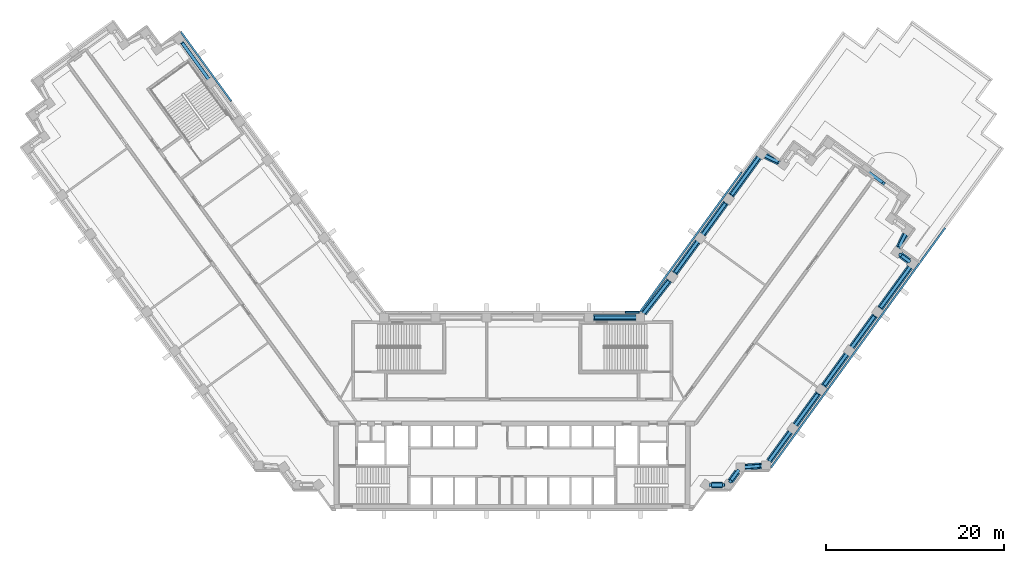
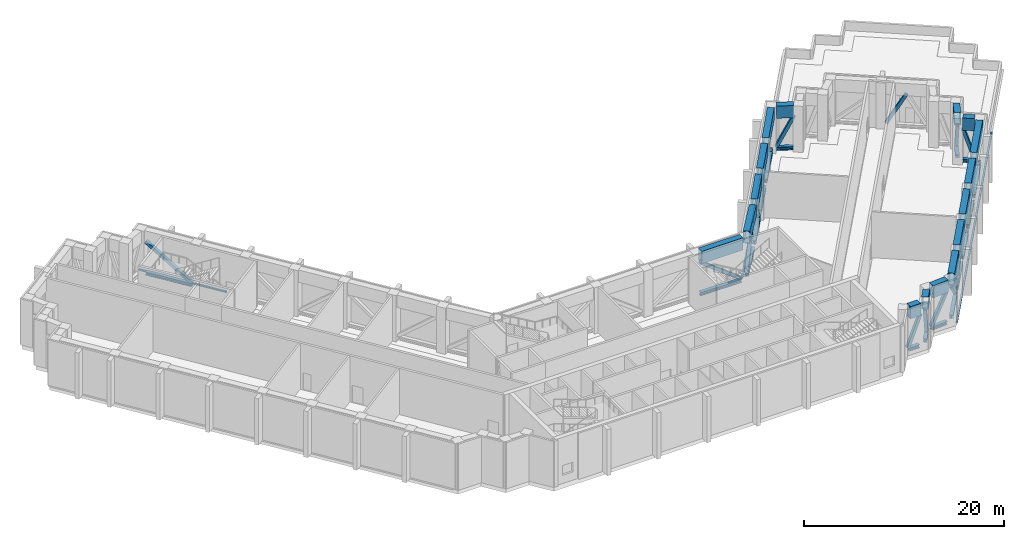
"""IFC4 building model written with IfcOpenShell, lengths in metres."""

from ifc_helpers import new_model, si_unit, direction, frame, origin, origin_2d, place, context, subcontext, project, spatial, rectangle, hollow_rectangle, i_section, extrude, material, material_profile, profile_set, type_object, element, aggregate, save


model = new_model("IFC4")

# Units and contexts
model_context = context("Model", 3, precision=1e-05, world=origin(), true_north=direction((0.0, 1.0)))
body_context = subcontext(model_context, "Body", "Model", "MODEL_VIEW")
ifc_project = project(units=[si_unit("LENGTHUNIT", "METRE"), si_unit("AREAUNIT", "SQUARE_METRE"), si_unit("VOLUMEUNIT", "CUBIC_METRE"), si_unit("PLANEANGLEUNIT", "RADIAN"), si_unit("MASSUNIT", "GRAM", prefix="KILO")], contexts=[model_context])

# Site, building, storey
site_placement = place(None, origin())
site = spatial("IfcSite", under=ifc_project, at=site_placement, CompositionType="ELEMENT")
building_placement = place(site_placement, origin())
building = spatial("IfcBuilding", under=site, at=building_placement, Name="Quipu Civic Tower", CompositionType="ELEMENT")
storey_1_placement = place(building_placement, frame((0.0, 0.0, 79.0)))
storey_1 = spatial("IfcBuildingStorey", under=building, at=storey_1_placement, Name="L18", CompositionType="ELEMENT", Elevation=79.0)

# Beams
ifc_material_1 = material(Name="Steel ASTM A992 Grade 50 (fy 345 MPa)", Category="steel")
ifc_material_profile_1 = material_profile(ifc_material_1, i_section(OverallWidth=0.403564453125, OverallDepth=0.407470703125, WebThickness=0.027099609375, FlangeThickness=0.043701171875, at=origin_2d()), Name="W360x347")
ifc_profile_set_1 = profile_set([ifc_material_profile_1], Name="Steel ASTM A992 Grade 50 (fy 345 MPa)")
beam_type_1 = type_object("IfcBeamType", Name="Belt truss bottom chord W360x347", PredefinedType="BEAM", material=ifc_profile_set_1)
beam_1_placement = place(storey_1_placement, frame((-34.13671875, 37.32373046875, 0.3037109375), z_axis=(-0.587747065363, 0.809044737426, 0.0), x_axis=(-0.809044737426, -0.587747065363, 0.0)))
element("IfcBeam", 1, at=beam_1_placement, inside=storey_1, type_object=beam_type_1, Name="Truss bottom chord L18 W-IN-06 to T-Wi.0-W50", PredefinedType="BEAM", context=body_context, shape_type="SweptSolid", body=[
    extrude(i_section(OverallWidth=0.403564453125, OverallDepth=0.407470703125, WebThickness=0.027099609375, FlangeThickness=0.043701171875, at=origin_2d()), origin(), (0.0, 0.0, 1.0), 5.0947265625),
])
beam_2_placement = place(storey_1_placement, frame((22.409912109375, -8.31494140625, 0.3037109375), z_axis=(1.0, 0.0, 0.0), x_axis=(0.0, 1.0, 0.0)))
element("IfcBeam", 2, at=beam_2_placement, inside=storey_1, type_object=beam_type_1, Name="Truss bottom chord L18 J-Eo.1 to J-Eo.2", PredefinedType="BEAM", context=body_context, shape_type="SweptSolid", body=[
    extrude(i_section(OverallWidth=0.403564453125, OverallDepth=0.407470703125, WebThickness=0.027099609375, FlangeThickness=0.043701171875, at=origin_2d()), origin(), (0.0, 0.0, 1.0), 1.20703125),
])
beam_3_placement = place(storey_1_placement, frame((24.529296875, -7.91064453125, 0.3037109375), z_axis=(0.588346597772, 0.808608855313, 0.0), x_axis=(-0.808608855313, 0.588346597772, 0.0)))
element("IfcBeam", 3, at=beam_3_placement, inside=storey_1, type_object=beam_type_1, Name="Truss bottom chord L18 J-Eo.2 to J-Eo.3", PredefinedType="BEAM", context=body_context, shape_type="SweptSolid", body=[
    extrude(i_section(OverallWidth=0.403564453125, OverallDepth=0.407470703125, WebThickness=0.027099609375, FlangeThickness=0.043701171875, at=origin_2d()), origin(), (0.0, 0.0, 1.0), 1.327880859375),
])
beam_4_placement = place(storey_1_placement, frame((26.17431640625, -6.30078125, 0.3037109375), z_axis=(0.997368412419, 0.072499999372, 0.0), x_axis=(-0.072499999372, 0.997368412419, 0.0)))
element("IfcBeam", 4, at=beam_4_placement, inside=storey_1, type_object=beam_type_1, Name="Truss bottom chord L18 J-Eo.3 to J-Eo.4", PredefinedType="BEAM", context=body_context, shape_type="SweptSolid", body=[
    extrude(i_section(OverallWidth=0.403564453125, OverallDepth=0.407470703125, WebThickness=0.027099609375, FlangeThickness=0.043701171875, at=origin_2d()), origin(), (0.0, 0.0, 1.0), 1.85546875),
])
beam_5_placement = place(storey_1_placement, frame((28.88818359375, -5.6298828125, 0.3037109375), z_axis=(0.587811022966, 0.808998270258, 0.0), x_axis=(-0.808998270258, 0.587811022966, 0.0)))
element("IfcBeam", 5, at=beam_5_placement, inside=storey_1, type_object=beam_type_1, Name="Truss bottom chord L18 J-Eo.4 to E-OUT-01", PredefinedType="BEAM", context=body_context, shape_type="SweptSolid", body=[
    extrude(i_section(OverallWidth=0.403564453125, OverallDepth=0.407470703125, WebThickness=0.027099609375, FlangeThickness=0.043701171875, at=origin_2d()), origin(), (0.0, 0.0, 1.0), 4.025390625),
])
for number, where, z_axis, x_axis, name in (
    (6, (31.84228515625, -1.564208984375, 0.3037109375), (0.587759228046, 0.809035901457, 0.0), (-0.809035901457, 0.587759228046, 0.0), "Truss bottom chord L18 E-OUT-01 to E-OUT-02"),
    (7, (35.01611328125, 2.804443359375, 0.3037109375), (0.587759228046, 0.809035901457, 0.0), (-0.809035901457, 0.587759228046, 0.0), "Truss bottom chord L18 E-OUT-02 to E-OUT-03"),
    (8, (38.190185546875, 7.173095703125, 0.3037109375), (0.58779554378, 0.809009517072, 0.0), (-0.809009517072, 0.58779554378, 0.0), "Truss bottom chord L18 E-OUT-03 to E-OUT-04"),
):
    element("IfcBeam", number, at=place(storey_1_placement, frame(where, z_axis=z_axis, x_axis=x_axis)), inside=storey_1, type_object=beam_type_1, Name=name, PredefinedType="BEAM", context=body_context, shape_type="SweptSolid", body=[
        extrude(i_section(OverallWidth=0.403564453125, OverallDepth=0.407470703125, WebThickness=0.027099609375, FlangeThickness=0.043701171875, at=origin_2d()), origin(), (0.0, 0.0, 1.0), 4.400146484375),
    ])
beam_6_placement = place(storey_1_placement, frame((41.3642578125, 11.5419921875, 0.3037109375), z_axis=(0.587771965958, 0.809026647295, 0.0), x_axis=(-0.809026647295, 0.587771965958, 0.0)))
element("IfcBeam", 9, at=beam_6_placement, inside=storey_1, type_object=beam_type_1, Name="Truss bottom chord L18 E-OUT-04 to T-Eo.0-E34", PredefinedType="BEAM", context=body_context, shape_type="SweptSolid", body=[
    extrude(i_section(OverallWidth=0.403564453125, OverallDepth=0.407470703125, WebThickness=0.027099609375, FlangeThickness=0.043701171875, at=origin_2d()), origin(), (0.0, 0.0, 1.0), 5.70263671875),
])
beam_7_placement = place(storey_1_placement, frame((44.605712890625, 16.854248046875, 0.3037109375), z_axis=(-0.808630508091, 0.588316837584, 0.0), x_axis=(-0.588316837584, -0.808630508091, 0.0)))
element("IfcBeam", 10, at=beam_7_placement, inside=storey_1, type_object=beam_type_1, Name="Truss bottom chord L18 T-Eo.0-E34 to T-Eo.1-E34", PredefinedType="BEAM", context=body_context, shape_type="SweptSolid", body=[
    extrude(i_section(OverallWidth=0.403564453125, OverallDepth=0.407470703125, WebThickness=0.027099609375, FlangeThickness=0.043701171875, at=origin_2d()), origin(), (0.0, 0.0, 1.0), 1.2001953125),
])
beam_8_placement = place(storey_1_placement, frame((43.449951171875, 18.3134765625, 0.3037109375), z_axis=(0.430841799311, 0.902427472968, 0.0), x_axis=(-0.902427472968, 0.430841799311, 0.0)))
element("IfcBeam", 11, at=beam_8_placement, inside=storey_1, type_object=beam_type_1, Name="Truss bottom chord L18 T-Eo.1-E34 to T-Eo.2-E34", PredefinedType="BEAM", context=body_context, shape_type="SweptSolid", body=[
    extrude(i_section(OverallWidth=0.403564453125, OverallDepth=0.407470703125, WebThickness=0.027099609375, FlangeThickness=0.043701171875, at=origin_2d()), origin(), (0.0, 0.0, 1.0), 1.731689453125),
])
beam_9_placement = place(storey_1_placement, frame((30.039794921875, 27.941650390625, 0.3037109375), z_axis=(-0.902601993281, 0.430476064056, 0.0), x_axis=(-0.430476064056, -0.902601993281, 0.0)))
element("IfcBeam", 12, at=beam_9_placement, inside=storey_1, type_object=beam_type_1, Name="Truss bottom chord L18 T-Ei.3-E34 to T-Ei.4-E34", PredefinedType="BEAM", context=body_context, shape_type="SweptSolid", body=[
    extrude(i_section(OverallWidth=0.403564453125, OverallDepth=0.407470703125, WebThickness=0.027099609375, FlangeThickness=0.043701171875, at=origin_2d()), origin(), (0.0, 0.0, 1.0), 1.729248046875),
])
beam_10_placement = place(storey_1_placement, frame((27.72607421875, 28.50048828125, 0.3037109375), z_axis=(-0.587628625566, -0.809130767191, 0.0), x_axis=(0.809130767191, -0.587628625566, 0.0)))
element("IfcBeam", 13, at=beam_10_placement, inside=storey_1, type_object=beam_type_1, Name="Truss bottom chord L18 T-Ei.4-E34 to E-IN-03", PredefinedType="BEAM", context=body_context, shape_type="SweptSolid", body=[
    extrude(i_section(OverallWidth=0.403564453125, OverallDepth=0.407470703125, WebThickness=0.027099609375, FlangeThickness=0.043701171875, at=origin_2d()), origin(), (0.0, 0.0, 1.0), 5.2939453125),
])
beam_11_placement = place(storey_1_placement, frame((24.02734375, 23.408203125, 0.3037109375), z_axis=(-0.587759228046, -0.809035901457, 0.0), x_axis=(0.809035901457, -0.587759228046, 0.0)))
element("IfcBeam", 14, at=beam_11_placement, inside=storey_1, type_object=beam_type_1, Name="Truss bottom chord L18 E-IN-03 to E-IN-02", PredefinedType="BEAM", context=body_context, shape_type="SweptSolid", body=[
    extrude(i_section(OverallWidth=0.403564453125, OverallDepth=0.407470703125, WebThickness=0.027099609375, FlangeThickness=0.043701171875, at=origin_2d()), origin(), (0.0, 0.0, 1.0), 4.400146484375),
])
beam_12_placement = place(storey_1_placement, frame((20.853515625, 19.039306640625, 0.3037109375), z_axis=(-0.587722908759, -0.809062285934, 0.0), x_axis=(0.809062285934, -0.587722908759, 0.0)))
element("IfcBeam", 15, at=beam_12_placement, inside=storey_1, type_object=beam_type_1, Name="Truss bottom chord L18 E-IN-02 to E-IN-01", PredefinedType="BEAM", context=body_context, shape_type="SweptSolid", body=[
    extrude(i_section(OverallWidth=0.403564453125, OverallDepth=0.407470703125, WebThickness=0.027099609375, FlangeThickness=0.043701171875, at=origin_2d()), origin(), (0.0, 0.0, 1.0), 4.39990234375),
])
beam_13_placement = place(storey_1_placement, frame((17.665283203125, 14.680908203125, 0.3037109375), z_axis=(-0.616068753057, -0.787692383806, 0.0), x_axis=(0.787692383806, -0.616068753057, 0.0)))
element("IfcBeam", 16, at=beam_13_placement, inside=storey_1, type_object=beam_type_1, Name="Truss bottom chord L18 E-IN-01 to J-Ei.0", PredefinedType="BEAM", context=body_context, shape_type="SweptSolid", body=[
    extrude(i_section(OverallWidth=0.403564453125, OverallDepth=0.407470703125, WebThickness=0.027099609375, FlangeThickness=0.043701171875, at=origin_2d()), origin(), (0.0, 0.0, 1.0), 4.673095703125),
])
beam_14_placement = place(storey_1_placement, frame((13.895263671875, 10.5, 0.3037109375), z_axis=(-1.0, 0.0, 0.0), x_axis=(0.0, -1.0, 0.0)))
element("IfcBeam", 17, at=beam_14_placement, inside=storey_1, type_object=beam_type_1, Name="Truss bottom chord L18 J-Ei.0 to FRONT-01", PredefinedType="BEAM", context=body_context, shape_type="SweptSolid", body=[
    extrude(i_section(OverallWidth=0.403564453125, OverallDepth=0.407470703125, WebThickness=0.027099609375, FlangeThickness=0.043701171875, at=origin_2d()), origin(), (0.0, 0.0, 1.0), 4.758056640625),
])

# Members
ifc_material_2 = material(Name="Steel ASTM A500 Grade C (fy 345 MPa)", Category="steel")
ifc_material_profile_2 = material_profile(ifc_material_2, hollow_rectangle(XDim=0.355712890625, YDim=0.355712890625, WallThickness=0.015869140625, at=origin_2d()), Name="HSS356x356x16")
ifc_profile_set_2 = profile_set([ifc_material_profile_2], Name="Steel ASTM A500 Grade C (fy 345 MPa)")
member_type_1 = type_object("IfcMemberType", Name="Belt truss diagonal HSS356x356x16", PredefinedType="BRACE", material=ifc_profile_set_2)
member_1_placement = place(storey_1_placement, frame((-34.13671875, 37.32373046875, 0.50732421875), z_axis=(-0.478113209401, 0.658131701127, 0.581610198473), x_axis=(-0.809044737426, -0.587747065363, 0.0)))
element("IfcMember", 18, at=member_1_placement, inside=storey_1, type_object=member_type_1, Name="Truss diagonal L18 W-IN-06 to T-Wi.0-W50", PredefinedType="BRACE", context=body_context, shape_type="SweptSolid", body=[
    extrude(hollow_rectangle(XDim=0.355712890625, YDim=0.355712890625, WallThickness=0.015869140625, at=origin_2d()), origin(), (0.0, 0.0, 1.0), 6.262939453125),
])
member_2_placement = place(storey_1_placement, frame((22.291748046875, -8.31494140625, 0.50732421875), z_axis=(0.368380626342, 0.0, 0.92967505836), x_axis=(0.0, 1.0, 0.0)))
element("IfcMember", 19, at=member_2_placement, inside=storey_1, type_object=member_type_1, Name="Truss diagonal L18 J-Eo.1 to J-Eo.2", PredefinedType="BRACE", context=body_context, shape_type="SweptSolid", body=[
    extrude(hollow_rectangle(XDim=0.355712890625, YDim=0.355712890625, WallThickness=0.015869140625, at=origin_2d()), origin(), (0.0, 0.0, 1.0), 3.918212890625),
])
member_3_placement = place(storey_1_placement, frame((24.529296875, -7.91064453125, 4.14990234375), z_axis=(0.217094677225, 0.298388379887, -0.929426853426), x_axis=(-0.808626568298, 0.588322252718, 0.0)))
element("IfcMember", 20, at=member_3_placement, inside=storey_1, type_object=member_type_1, Name="Truss diagonal L18 J-Eo.2 to J-Eo.3", PredefinedType="BRACE", context=body_context, shape_type="SweptSolid", body=[
    extrude(hollow_rectangle(XDim=0.355712890625, YDim=0.355712890625, WallThickness=0.015869140625, at=origin_2d()), origin(), (0.0, 0.0, 1.0), 3.919189453125),
])
member_4_placement = place(storey_1_placement, frame((26.173095703125, -6.30078125, 0.50732421875), z_axis=(0.453217629686, 0.032897235405, 0.890792653789), x_axis=(-0.072395491772, 0.997376003707, 0.0)))
element("IfcMember", 21, at=member_4_placement, inside=storey_1, type_object=member_type_1, Name="Truss diagonal L18 J-Eo.3 to J-Eo.4", PredefinedType="BRACE", context=body_context, shape_type="SweptSolid", body=[
    extrude(hollow_rectangle(XDim=0.355712890625, YDim=0.355712890625, WallThickness=0.015869140625, at=origin_2d()), origin(), (0.0, 0.0, 1.0), 4.089111328125),
])
member_5_placement = place(storey_1_placement, frame((28.81884765625, -5.7255859375, 4.14990234375), z_axis=(0.441455975889, 0.607621492075, -0.66023688455), x_axis=(-0.809021349778, 0.587779257548, 0.0)))
element("IfcMember", 22, at=member_5_placement, inside=storey_1, type_object=member_type_1, Name="Truss diagonal L18 J-Eo.4 to E-OUT-01", PredefinedType="BRACE", context=body_context, shape_type="SweptSolid", body=[
    extrude(hollow_rectangle(XDim=0.355712890625, YDim=0.355712890625, WallThickness=0.015869140625, at=origin_2d()), origin(), (0.0, 0.0, 1.0), 5.51708984375),
])
for number, where, z_axis, x_axis, name in (
    (23, (31.84228515625, -1.564208984375, 0.50732421875), (0.452748698079, 0.623197278079, 0.637686262187), (-0.809035901457, 0.587759228046, 0.0), "Truss diagonal L18 E-OUT-01 to E-OUT-02"),
    (24, (35.01611328125, 2.804443359375, 4.14990234375), (0.452748698079, 0.623197278079, -0.637686262187), (-0.809035901457, 0.587759228046, 0.0), "Truss diagonal L18 E-OUT-02 to E-OUT-03"),
):
    element("IfcMember", number, at=place(storey_1_placement, frame(where, z_axis=z_axis, x_axis=x_axis)), inside=storey_1, type_object=member_type_1, Name=name, PredefinedType="BRACE", context=body_context, shape_type="SweptSolid", body=[
        extrude(hollow_rectangle(XDim=0.355712890625, YDim=0.355712890625, WallThickness=0.015869140625, at=origin_2d()), origin(), (0.0, 0.0, 1.0), 5.712158203125),
    ])
member_6_placement = place(storey_1_placement, frame((38.190185546875, 7.173095703125, 0.50732421875), z_axis=(0.45278267648, 0.623185218591, 0.637673922322), x_axis=(-0.809009517072, 0.58779554378, 0.0)))
element("IfcMember", 25, at=member_6_placement, inside=storey_1, type_object=member_type_1, Name="Truss diagonal L18 E-OUT-03 to E-OUT-04", PredefinedType="BRACE", context=body_context, shape_type="SweptSolid", body=[
    extrude(hollow_rectangle(XDim=0.355712890625, YDim=0.355712890625, WallThickness=0.015869140625, at=origin_2d()), origin(), (0.0, 0.0, 1.0), 5.71240234375),
])
member_7_placement = place(storey_1_placement, frame((41.3642578125, 11.5419921875, 4.14990234375), z_axis=(0.495341846186, 0.681803107829, -0.538313085083), x_axis=(-0.809026647295, 0.587771965958, 0.0)))
element("IfcMember", 26, at=member_7_placement, inside=storey_1, type_object=member_type_1, Name="Truss diagonal L18 E-OUT-04 to T-Eo.0-E34", PredefinedType="BRACE", context=body_context, shape_type="SweptSolid", body=[
    extrude(hollow_rectangle(XDim=0.355712890625, YDim=0.355712890625, WallThickness=0.015869140625, at=origin_2d()), origin(), (0.0, 0.0, 1.0), 6.7666015625),
])
member_8_placement = place(storey_1_placement, frame((44.605712890625, 16.854248046875, 0.50732421875), z_axis=(-0.253040680095, 0.18409903065, 0.949777848305), x_axis=(-0.588316837584, -0.808630508091, 0.0)))
element("IfcMember", 27, at=member_8_placement, inside=storey_1, type_object=member_type_1, Name="Truss diagonal L18 T-Eo.0-E34 to T-Eo.1-E34", PredefinedType="BRACE", context=body_context, shape_type="SweptSolid", body=[
    extrude(hollow_rectangle(XDim=0.355712890625, YDim=0.355712890625, WallThickness=0.015869140625, at=origin_2d()), origin(), (0.0, 0.0, 1.0), 3.835205078125),
])
member_9_placement = place(storey_1_placement, frame((43.4462890625, 18.305908203125, 4.14990234375), z_axis=(0.186466051604, 0.390515259728, -0.901514416701), x_axis=(-0.902405777278, 0.430887239468, 0.0)))
element("IfcMember", 28, at=member_9_placement, inside=storey_1, type_object=member_type_1, Name="Truss diagonal L18 T-Eo.1-E34 to T-Eo.2-E34", PredefinedType="BRACE", context=body_context, shape_type="SweptSolid", body=[
    extrude(hollow_rectangle(XDim=0.355712890625, YDim=0.355712890625, WallThickness=0.015869140625, at=origin_2d()), origin(), (0.0, 0.0, 1.0), 4.04052734375),
])
member_10_placement = place(storey_1_placement, frame((40.09521484375, 26.80810546875, 0.50732421875), z_axis=(0.396638907495, -0.288220378436, 0.871554123686), x_axis=(0.587845780927, 0.808973014288, 0.0)))
element("IfcMember", 29, at=member_10_placement, inside=storey_1, type_object=member_type_1, Name="Truss diagonal L18 T-Eo.4-E34 to TIP-E-01-E34 half 2", PredefinedType="BRACE", context=body_context, shape_type="SweptSolid", body=[
    extrude(hollow_rectangle(XDim=0.355712890625, YDim=0.355712890625, WallThickness=0.015869140625, at=origin_2d()), origin(), (0.0, 0.0, 1.0), 4.179443359375),
])
member_11_placement = place(storey_1_placement, frame((30.04736328125, 27.93798828125, 4.14990234375), z_axis=(-0.390187460924, 0.186088474626, -0.90173434278), x_axis=(-0.430470772555, -0.902604516926, 0.0)))
element("IfcMember", 30, at=member_11_placement, inside=storey_1, type_object=member_type_1, Name="Truss diagonal L18 T-Ei.3-E34 to T-Ei.4-E34", PredefinedType="BRACE", context=body_context, shape_type="SweptSolid", body=[
    extrude(hollow_rectangle(XDim=0.355712890625, YDim=0.355712890625, WallThickness=0.015869140625, at=origin_2d()), origin(), (0.0, 0.0, 1.0), 4.03955078125),
])
member_12_placement = place(storey_1_placement, frame((27.72607421875, 28.50048828125, 0.50732421875), z_axis=(-0.484101214488, -0.66657948581, 0.566849012726), x_axis=(0.809130767191, -0.587628625566, 0.0)))
element("IfcMember", 31, at=member_12_placement, inside=storey_1, type_object=member_type_1, Name="Truss diagonal L18 T-Ei.4-E34 to E-IN-03", PredefinedType="BRACE", context=body_context, shape_type="SweptSolid", body=[
    extrude(hollow_rectangle(XDim=0.355712890625, YDim=0.355712890625, WallThickness=0.015869140625, at=origin_2d()), origin(), (0.0, 0.0, 1.0), 6.426025390625),
])
for number, where, z_axis, x_axis, name in (
    (32, (24.02734375, 23.408203125, 4.14990234375), (-0.452748698079, -0.623197278079, -0.637686262187), (0.809035901457, -0.587759228046, 0.0), "Truss diagonal L18 E-IN-03 to E-IN-02"),
    (33, (20.853515625, 19.039306640625, 0.50732421875), (-0.452714717706, -0.62320933713, 0.637698601603), (0.809062285934, -0.587722908759, 0.0), "Truss diagonal L18 E-IN-02 to E-IN-01"),
):
    element("IfcMember", number, at=place(storey_1_placement, frame(where, z_axis=z_axis, x_axis=x_axis)), inside=storey_1, type_object=member_type_1, Name=name, PredefinedType="BRACE", context=body_context, shape_type="SweptSolid", body=[
        extrude(hollow_rectangle(XDim=0.355712890625, YDim=0.355712890625, WallThickness=0.015869140625, at=origin_2d()), origin(), (0.0, 0.0, 1.0), 5.712158203125),
    ])
member_13_placement = place(storey_1_placement, frame((17.66552734375, 14.68115234375, 4.14990234375), z_axis=(-0.491092678608, -0.62784907889, -0.603848917491), x_axis=(0.787667833493, -0.616100141276, 0.0)))
element("IfcMember", 34, at=member_13_placement, inside=storey_1, type_object=member_type_1, Name="Truss diagonal L18 E-IN-01 to J-Ei.0", PredefinedType="BRACE", context=body_context, shape_type="SweptSolid", body=[
    extrude(hollow_rectangle(XDim=0.355712890625, YDim=0.355712890625, WallThickness=0.015869140625, at=origin_2d()), origin(), (0.0, 0.0, 1.0), 6.0322265625),
])
member_14_placement = place(storey_1_placement, frame((13.895263671875, 10.5, 0.50732421875), z_axis=(-0.794030443384, 0.0, 0.607877993498), x_axis=(0.0, -1.0, 0.0)))
element("IfcMember", 35, at=member_14_placement, inside=storey_1, type_object=member_type_1, Name="Truss diagonal L18 J-Ei.0 to FRONT-01", PredefinedType="BRACE", context=body_context, shape_type="SweptSolid", body=[
    extrude(hollow_rectangle(XDim=0.355712890625, YDim=0.355712890625, WallThickness=0.015869140625, at=origin_2d()), origin(), (0.0, 0.0, 1.0), 5.9921875),
])

# Beams
ifc_material_3 = material(Name="Steel ASTM A572 Grade 50 (fy 345 MPa)", Category="steel")
ifc_material_profile_3 = material_profile(ifc_material_3, hollow_rectangle(XDim=0.699951171875, YDim=1.5, WallThickness=0.050048828125, at=origin_2d()), Name="BX1500x700x50")
ifc_profile_set_3 = profile_set([ifc_material_profile_3], Name="Steel ASTM A572 Grade 50 (fy 345 MPa)")
beam_type_2 = type_object("IfcBeamType", Name="Belt truss top chord BX1500x700x50", PredefinedType="BEAM", material=ifc_profile_set_3)
beam_15_placement = place(storey_1_placement, frame((22.409912109375, -8.31494140625, 4.89990234375), z_axis=(1.0, 0.0, 0.0), x_axis=(0.0, 1.0, 0.0)))
element("IfcBeam", 36, at=beam_15_placement, inside=storey_1, type_object=beam_type_2, Name="Truss top chord L18 J-Eo.1 to J-Eo.2", PredefinedType="BEAM", context=body_context, shape_type="SweptSolid", body=[
    extrude(hollow_rectangle(XDim=0.699951171875, YDim=1.5, WallThickness=0.050048828125, at=origin_2d()), origin(), (0.0, 0.0, 1.0), 1.20703125),
])
beam_16_placement = place(storey_1_placement, frame((24.529296875, -7.91064453125, 4.89990234375), z_axis=(0.588346597772, 0.808608855313, 0.0), x_axis=(-0.808608855313, 0.588346597772, 0.0)))
element("IfcBeam", 37, at=beam_16_placement, inside=storey_1, type_object=beam_type_2, Name="Truss top chord L18 J-Eo.2 to J-Eo.3", PredefinedType="BEAM", context=body_context, shape_type="SweptSolid", body=[
    extrude(hollow_rectangle(XDim=0.699951171875, YDim=1.5, WallThickness=0.050048828125, at=origin_2d()), origin(), (0.0, 0.0, 1.0), 1.327880859375),
])
beam_17_placement = place(storey_1_placement, frame((26.17431640625, -6.30078125, 4.89990234375), z_axis=(0.997368412419, 0.072499999372, 0.0), x_axis=(-0.072499999372, 0.997368412419, 0.0)))
element("IfcBeam", 38, at=beam_17_placement, inside=storey_1, type_object=beam_type_2, Name="Truss top chord L18 J-Eo.3 to J-Eo.4", PredefinedType="BEAM", context=body_context, shape_type="SweptSolid", body=[
    extrude(hollow_rectangle(XDim=0.699951171875, YDim=1.5, WallThickness=0.050048828125, at=origin_2d()), origin(), (0.0, 0.0, 1.0), 1.85546875),
])
beam_18_placement = place(storey_1_placement, frame((28.88818359375, -5.6298828125, 4.89990234375), z_axis=(0.587811022966, 0.808998270258, 0.0), x_axis=(-0.808998270258, 0.587811022966, 0.0)))
element("IfcBeam", 39, at=beam_18_placement, inside=storey_1, type_object=beam_type_2, Name="Truss top chord L18 J-Eo.4 to E-OUT-01", PredefinedType="BEAM", context=body_context, shape_type="SweptSolid", body=[
    extrude(hollow_rectangle(XDim=0.699951171875, YDim=1.5, WallThickness=0.050048828125, at=origin_2d()), origin(), (0.0, 0.0, 1.0), 4.025390625),
])
for number, where, z_axis, x_axis, name in (
    (40, (31.84228515625, -1.564208984375, 4.89990234375), (0.587759228046, 0.809035901457, 0.0), (-0.809035901457, 0.587759228046, 0.0), "Truss top chord L18 E-OUT-01 to E-OUT-02"),
    (41, (35.01611328125, 2.804443359375, 4.89990234375), (0.587759228046, 0.809035901457, 0.0), (-0.809035901457, 0.587759228046, 0.0), "Truss top chord L18 E-OUT-02 to E-OUT-03"),
    (42, (38.190185546875, 7.173095703125, 4.89990234375), (0.58779554378, 0.809009517072, 0.0), (-0.809009517072, 0.58779554378, 0.0), "Truss top chord L18 E-OUT-03 to E-OUT-04"),
):
    element("IfcBeam", number, at=place(storey_1_placement, frame(where, z_axis=z_axis, x_axis=x_axis)), inside=storey_1, type_object=beam_type_2, Name=name, PredefinedType="BEAM", context=body_context, shape_type="SweptSolid", body=[
        extrude(hollow_rectangle(XDim=0.699951171875, YDim=1.5, WallThickness=0.050048828125, at=origin_2d()), origin(), (0.0, 0.0, 1.0), 4.400146484375),
    ])
beam_19_placement = place(storey_1_placement, frame((41.3642578125, 11.5419921875, 4.89990234375), z_axis=(0.587771965958, 0.809026647295, 0.0), x_axis=(-0.809026647295, 0.587771965958, 0.0)))
element("IfcBeam", 43, at=beam_19_placement, inside=storey_1, type_object=beam_type_2, Name="Truss top chord L18 E-OUT-04 to T-Eo.0-E34", PredefinedType="BEAM", context=body_context, shape_type="SweptSolid", body=[
    extrude(hollow_rectangle(XDim=0.699951171875, YDim=1.5, WallThickness=0.050048828125, at=origin_2d()), origin(), (0.0, 0.0, 1.0), 5.70263671875),
])
beam_20_placement = place(storey_1_placement, frame((44.605712890625, 16.854248046875, 4.89990234375), z_axis=(-0.808630508091, 0.588316837584, 0.0), x_axis=(-0.588316837584, -0.808630508091, 0.0)))
element("IfcBeam", 44, at=beam_20_placement, inside=storey_1, type_object=beam_type_2, Name="Truss top chord L18 T-Eo.0-E34 to T-Eo.1-E34", PredefinedType="BEAM", context=body_context, shape_type="SweptSolid", body=[
    extrude(hollow_rectangle(XDim=0.699951171875, YDim=1.5, WallThickness=0.050048828125, at=origin_2d()), origin(), (0.0, 0.0, 1.0), 1.2001953125),
])
beam_21_placement = place(storey_1_placement, frame((43.449951171875, 18.3134765625, 4.89990234375), z_axis=(0.430841799311, 0.902427472968, 0.0), x_axis=(-0.902427472968, 0.430841799311, 0.0)))
element("IfcBeam", 45, at=beam_21_placement, inside=storey_1, type_object=beam_type_2, Name="Truss top chord L18 T-Eo.1-E34 to T-Eo.2-E34", PredefinedType="BEAM", context=body_context, shape_type="SweptSolid", body=[
    extrude(hollow_rectangle(XDim=0.699951171875, YDim=1.5, WallThickness=0.050048828125, at=origin_2d()), origin(), (0.0, 0.0, 1.0), 1.731689453125),
])
beam_22_placement = place(storey_1_placement, frame((30.039794921875, 27.941650390625, 4.89990234375), z_axis=(-0.902601993281, 0.430476064056, 0.0), x_axis=(-0.430476064056, -0.902601993281, 0.0)))
element("IfcBeam", 46, at=beam_22_placement, inside=storey_1, type_object=beam_type_2, Name="Truss top chord L18 T-Ei.3-E34 to T-Ei.4-E34", PredefinedType="BEAM", context=body_context, shape_type="SweptSolid", body=[
    extrude(hollow_rectangle(XDim=0.699951171875, YDim=1.5, WallThickness=0.050048828125, at=origin_2d()), origin(), (0.0, 0.0, 1.0), 1.729248046875),
])
beam_23_placement = place(storey_1_placement, frame((27.72607421875, 28.50048828125, 4.89990234375), z_axis=(-0.587628625566, -0.809130767191, 0.0), x_axis=(0.809130767191, -0.587628625566, 0.0)))
element("IfcBeam", 47, at=beam_23_placement, inside=storey_1, type_object=beam_type_2, Name="Truss top chord L18 T-Ei.4-E34 to E-IN-03", PredefinedType="BEAM", context=body_context, shape_type="SweptSolid", body=[
    extrude(hollow_rectangle(XDim=0.699951171875, YDim=1.5, WallThickness=0.050048828125, at=origin_2d()), origin(), (0.0, 0.0, 1.0), 5.2939453125),
])
beam_24_placement = place(storey_1_placement, frame((24.02734375, 23.408203125, 4.89990234375), z_axis=(-0.587759228046, -0.809035901457, 0.0), x_axis=(0.809035901457, -0.587759228046, 0.0)))
element("IfcBeam", 48, at=beam_24_placement, inside=storey_1, type_object=beam_type_2, Name="Truss top chord L18 E-IN-03 to E-IN-02", PredefinedType="BEAM", context=body_context, shape_type="SweptSolid", body=[
    extrude(hollow_rectangle(XDim=0.699951171875, YDim=1.5, WallThickness=0.050048828125, at=origin_2d()), origin(), (0.0, 0.0, 1.0), 4.400146484375),
])
beam_25_placement = place(storey_1_placement, frame((20.853515625, 19.039306640625, 4.89990234375), z_axis=(-0.587722908759, -0.809062285934, 0.0), x_axis=(0.809062285934, -0.587722908759, 0.0)))
element("IfcBeam", 49, at=beam_25_placement, inside=storey_1, type_object=beam_type_2, Name="Truss top chord L18 E-IN-02 to E-IN-01", PredefinedType="BEAM", context=body_context, shape_type="SweptSolid", body=[
    extrude(hollow_rectangle(XDim=0.699951171875, YDim=1.5, WallThickness=0.050048828125, at=origin_2d()), origin(), (0.0, 0.0, 1.0), 4.39990234375),
])
beam_26_placement = place(storey_1_placement, frame((17.665283203125, 14.680908203125, 4.89990234375), z_axis=(-0.616068753057, -0.787692383806, 0.0), x_axis=(0.787692383806, -0.616068753057, 0.0)))
element("IfcBeam", 50, at=beam_26_placement, inside=storey_1, type_object=beam_type_2, Name="Truss top chord L18 E-IN-01 to J-Ei.0", PredefinedType="BEAM", context=body_context, shape_type="SweptSolid", body=[
    extrude(hollow_rectangle(XDim=0.699951171875, YDim=1.5, WallThickness=0.050048828125, at=origin_2d()), origin(), (0.0, 0.0, 1.0), 4.673095703125),
])
beam_27_placement = place(storey_1_placement, frame((13.895263671875, 10.5, 4.89990234375), z_axis=(-1.0, 0.0, 0.0), x_axis=(0.0, -1.0, 0.0)))
element("IfcBeam", 51, at=beam_27_placement, inside=storey_1, type_object=beam_type_2, Name="Truss top chord L18 J-Ei.0 to FRONT-01", PredefinedType="BEAM", context=body_context, shape_type="SweptSolid", body=[
    extrude(hollow_rectangle(XDim=0.699951171875, YDim=1.5, WallThickness=0.050048828125, at=origin_2d()), origin(), (0.0, 0.0, 1.0), 4.758056640625),
])

# Storey
storey_2_placement = place(building_placement, frame((0.0, 0.0, 71.0)))
storey_2 = spatial("IfcBuildingStorey", under=building, at=storey_2_placement, Name="L16", CompositionType="ELEMENT", Elevation=71.0)

# Curtain wall, member
ifc_material_4 = material(Name="Insulated glass unit", Category="glass")
curtain_wall_type = type_object("IfcCurtainWallType", Name="Office curtain wall CW1", PredefinedType="NOTDEFINED", material=ifc_material_4)
curtain_wall_1_placement = place(storey_2_placement, origin())
curtain_wall_1 = element("IfcCurtainWall", 52, at=curtain_wall_1_placement, inside=storey_2, type_object=curtain_wall_type, Name="Office curtain wall CW1 L15 run 1", PredefinedType="NOTDEFINED")
ifc_material_5 = material(Name="Anodised aluminium", Category="aluminium")
ifc_material_profile_4 = material_profile(ifc_material_5, rectangle(XDim=0.199951171875, YDim=0.159912109375, at=origin_2d()), Name="RECT 200x160")
ifc_profile_set_4 = profile_set([ifc_material_profile_4], Name="Anodised aluminium")
member_type_2 = type_object("IfcMemberType", Name="Transom CW1", PredefinedType="USERDEFINED", material=ifc_profile_set_4)
member_15_placement = place(storey_1_placement, frame((-31.580078125, 34.822998046875, 0.0), z_axis=(-0.587775627857, 0.809023986849, 0.0), x_axis=(-0.809023986849, -0.587775627857, 0.0)))
member_15 = element("IfcMember", 53, at=member_15_placement, inside=storey_1, type_object=member_type_2, Name="CW1 transom 4.4", ObjectType="TRANSOM", PredefinedType="USERDEFINED", context=body_context, shape_type="SweptSolid", body=[
    extrude(rectangle(XDim=0.199951171875, YDim=0.159912109375, at=origin_2d()), origin(), (0.0, 0.0, 1.0), 9.64111328125),
])
aggregate(curtain_wall_1, [member_15])

# Curtain wall, members
curtain_wall_2_placement = place(storey_2_placement, origin())
curtain_wall_2 = element("IfcCurtainWall", 54, at=curtain_wall_2_placement, inside=storey_2, type_object=curtain_wall_type, Name="Office curtain wall CW1 L15 run 20", PredefinedType="NOTDEFINED")
member_16_placement = place(storey_1_placement, frame((29.10302734375, -6.35546875, 0.0), z_axis=(0.587779179422, 0.809021406539, 0.0), x_axis=(-0.809021406539, 0.587779179422, 0.0)))
member_16 = element("IfcMember", 55, at=member_16_placement, inside=storey_1, type_object=member_type_2, Name="CW1 transom 1.4", ObjectType="TRANSOM", PredefinedType="USERDEFINED", context=body_context, shape_type="SweptSolid", body=[
    extrude(rectangle(XDim=0.199951171875, YDim=0.159912109375, at=origin_2d()), origin(), (0.0, 0.0, 1.0), 11.02294921875),
])
member_17_placement = place(storey_1_placement, frame((35.62890625, 2.626953125, 0.0), z_axis=(0.587795037589, 0.80900988485, 0.0), x_axis=(-0.80900988485, 0.587795037589, 0.0)))
member_17 = element("IfcMember", 56, at=member_17_placement, inside=storey_1, type_object=member_type_2, Name="CW1 transom 2.4", ObjectType="TRANSOM", PredefinedType="USERDEFINED", context=body_context, shape_type="SweptSolid", body=[
    extrude(rectangle(XDim=0.199951171875, YDim=0.159912109375, at=origin_2d()), origin(), (0.0, 0.0, 1.0), 11.062744140625),
])
member_18_placement = place(storey_1_placement, frame((42.178466796875, 11.6416015625, 0.0), z_axis=(0.587795037589, 0.80900988485, 0.0), x_axis=(-0.80900988485, 0.587795037589, 0.0)))
member_18 = element("IfcMember", 57, at=member_18_placement, inside=storey_1, type_object=member_type_2, Name="CW1 transom 3.4", ObjectType="TRANSOM", PredefinedType="USERDEFINED", context=body_context, shape_type="SweptSolid", body=[
    extrude(rectangle(XDim=0.199951171875, YDim=0.159912109375, at=origin_2d()), origin(), (0.0, 0.0, 1.0), 11.062744140625),
])
aggregate(curtain_wall_2, [member_16, member_17, member_18])

curtain_wall_3_placement = place(storey_2_placement, origin())
curtain_wall_3 = element("IfcCurtainWall", 58, at=curtain_wall_3_placement, inside=storey_2, type_object=curtain_wall_type, Name="Office curtain wall CW1 L15 run 30", PredefinedType="NOTDEFINED")
member_19_placement = place(storey_1_placement, frame((25.795654296875, 26.861328125, 0.0), z_axis=(-0.587793764301, -0.80901080997, 0.0), x_axis=(0.80901080997, -0.587793764301, 0.0)))
member_19 = element("IfcMember", 59, at=member_19_placement, inside=storey_1, type_object=member_type_2, Name="CW1 transom 3.4", ObjectType="TRANSOM", PredefinedType="USERDEFINED", context=body_context, shape_type="SweptSolid", body=[
    extrude(rectangle(XDim=0.199951171875, YDim=0.159912109375, at=origin_2d()), origin(), (0.0, 0.0, 1.0), 9.680908203125),
])
member_20_placement = place(storey_1_placement, frame((20.05810546875, 18.964599609375, 0.0), z_axis=(-0.58779220199, -0.809011945079, 0.0), x_axis=(0.809011945079, -0.58779220199, 0.0)))
member_20 = element("IfcMember", 60, at=member_20_placement, inside=storey_1, type_object=member_type_2, Name="CW1 transom 4.4", ObjectType="TRANSOM", PredefinedType="USERDEFINED", context=body_context, shape_type="SweptSolid", body=[
    extrude(rectangle(XDim=0.199951171875, YDim=0.159912109375, at=origin_2d()), origin(), (0.0, 0.0, 1.0), 9.64111328125),
])
aggregate(curtain_wall_3, [member_19, member_20])

# Curtain wall, member
curtain_wall_4_placement = place(storey_2_placement, origin())
curtain_wall_4 = element("IfcCurtainWall", 61, at=curtain_wall_4_placement, inside=storey_2, type_object=curtain_wall_type, Name="Office curtain wall CW1 L15 run 31", PredefinedType="NOTDEFINED")
member_21_placement = place(storey_1_placement, frame((14.26416015625, 11.10009765625, 0.0), z_axis=(-1.0, 0.0, 0.0), x_axis=(0.0, -1.0, 0.0)))
member_21 = element("IfcMember", 62, at=member_21_placement, inside=storey_1, type_object=member_type_2, Name="CW1 transom 1.4", ObjectType="TRANSOM", PredefinedType="USERDEFINED", context=body_context, shape_type="SweptSolid", body=[
    extrude(rectangle(XDim=0.199951171875, YDim=0.159912109375, at=origin_2d()), origin(), (0.0, 0.0, 1.0), 1.529052734375),
])
aggregate(curtain_wall_4, [member_21])

save(model, "model.ifc")
